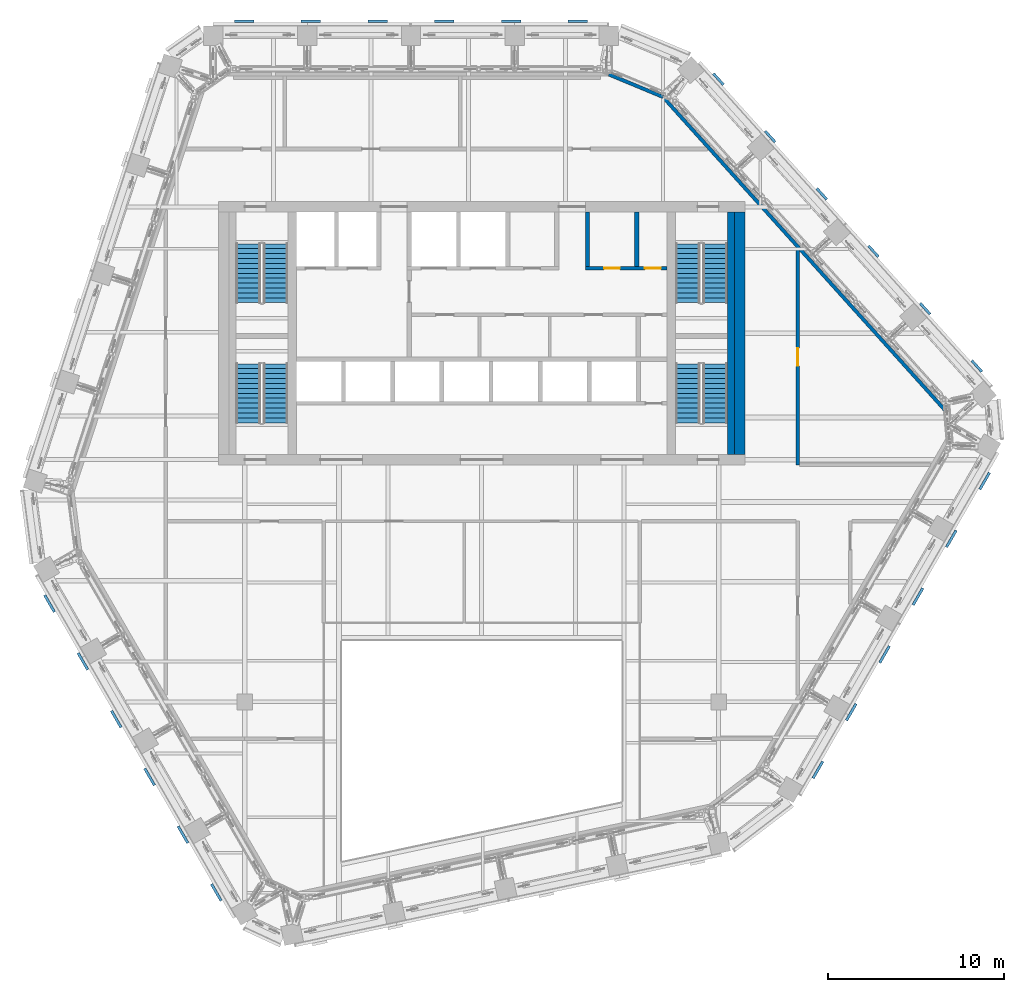
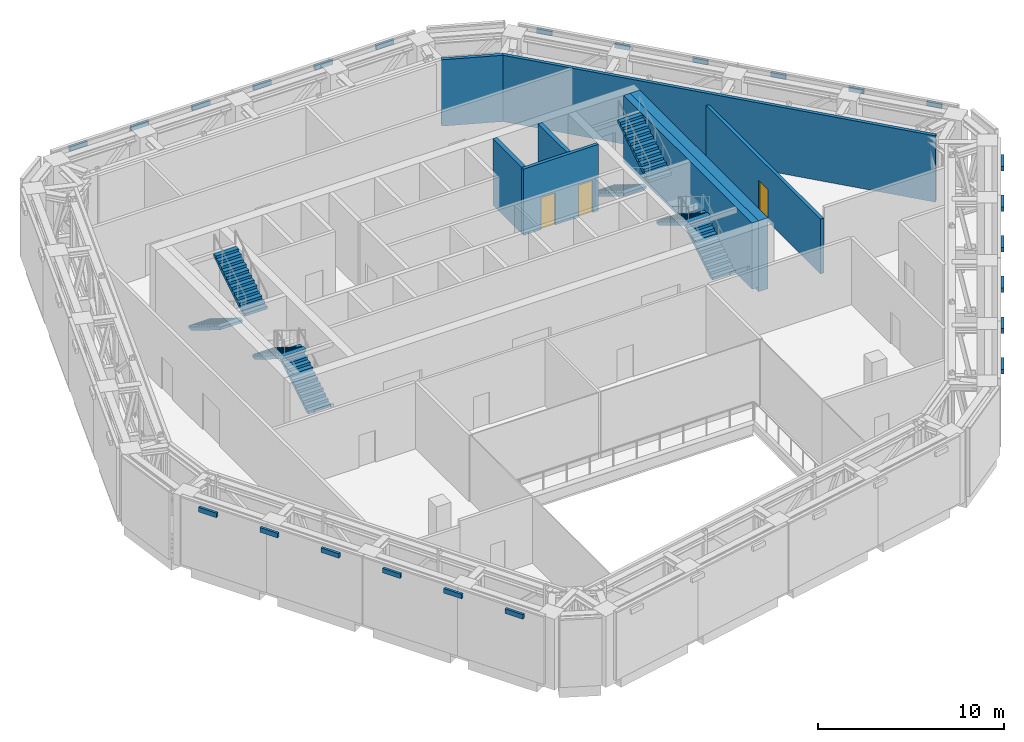
# One storey, part 19 of 25: 24 discrete accessories, 8 stair flights, 8 walls, 3 doors, 3 openings, 4 elements without a shape of their own.
"""IFC4 building model written with IfcOpenShell, lengths in metres."""

from ifc_helpers import new_model, si_unit, direction, frame, frame_2d, origin, origin_2d, place, context, subcontext, project, spatial, polyline, rectangle, outline, extrude, material, layer, layer_set, type_object, element, fill, aggregate, save


model = new_model("IFC4")

# Units and contexts
model_context = context("Model", 3, precision=1e-05, world=origin(), true_north=direction((0.0, 1.0)))
body_context = subcontext(model_context, "Body", "Model", "MODEL_VIEW")
ifc_project = project(units=[si_unit("LENGTHUNIT", "METRE"), si_unit("AREAUNIT", "SQUARE_METRE"), si_unit("VOLUMEUNIT", "CUBIC_METRE"), si_unit("PLANEANGLEUNIT", "RADIAN"), si_unit("MASSUNIT", "GRAM", prefix="KILO")], contexts=[model_context])

# Site, building, storey
site_placement = place(None, origin())
site = spatial("IfcSite", under=ifc_project, at=site_placement, CompositionType="ELEMENT")
building_placement = place(site_placement, origin())
building = spatial("IfcBuilding", under=site, at=building_placement, Name="Isthmus Gate Tower", CompositionType="ELEMENT")
storey_placement = place(building_placement, frame((0.0, 0.0, 256.449951171875)))
storey = spatial("IfcBuildingStorey", under=building, at=storey_placement, Name="L65", CompositionType="ELEMENT", Elevation=256.449951171875)

# Wall, opening, door
ifc_material_1 = material(Name="Concrete f'c 30 MPa", Category="concrete")
ifc_layer_1 = layer(ifc_material_1, 0.199951171875)
ifc_layer_set_1 = layer_set([ifc_layer_1], Name="Fire-rated block wall 200")
wall_type_1 = type_object("IfcWallType", Name="Fire-rated block wall 200", PredefinedType="PARTITIONING", material=ifc_layer_set_1)
wall_1_placement = place(storey_placement, frame((18.0, 0.0, 0.0), z_axis=(0.0, 0.0, 1.0), x_axis=(0.0, 1.0, 0.0)))
wall_1 = element("IfcWall", 1, at=wall_1_placement, inside=storey, type_object=wall_type_1, Name="Fire-rated wall", PredefinedType="PARTITIONING", context=body_context, shape_type="SweptSolid", body=[
    extrude(rectangle(XDim=12.295166015625, YDim=0.199951171875, at=frame_2d((6.1474609375, 0.0))), origin(), (0.0, 0.0, 1.0), 3.600830078125),
])
opening_1_placement = place(wall_1_placement, frame((5.64990234375, 0.0, 0.0)))
opening_1 = element("IfcOpeningElement", 2, at=opening_1_placement, cuts=wall_1, Name="Opening DP65-06", PredefinedType="OPENING", context=body_context, shape_type="SweptSolid", body=[
    extrude(rectangle(XDim=1.0, YDim=2.10009765625, at=frame_2d((0.5, 1.050048828125))), frame((0.0, 0.10986328125, 0.0), z_axis=(0.0, -1.0, 0.0), x_axis=(1.0, 0.0, 0.0)), (0.0, 0.0, 1.0), 0.219970703125),
])
ifc_material_2 = material(Name="Steel fire door with intumescent seals", Category="steel")
door_type_1 = type_object("IfcDoorType", Name="Fire door 1000 x 2100", OperationType="SINGLE_SWING_LEFT", PredefinedType="DOOR", material=ifc_material_2)
door_1_placement = place(opening_1_placement, origin())
door_1 = element("IfcDoor", 3, at=door_1_placement, inside=storey, type_object=door_type_1, Name="Door DP65-06", OperationType="SINGLE_SWING_LEFT", OverallHeight=2.10009765625, OverallWidth=1.0, PredefinedType="DOOR", context=body_context, shape_type="SweptSolid", body=[
    extrude(rectangle(XDim=1.0, YDim=2.10009765625, at=frame_2d((0.5, 1.050048828125))), frame((0.0, 0.02490234375, 0.0), z_axis=(0.0, -1.0, 0.0), x_axis=(1.0, 0.0, 0.0)), (0.0, 0.0, 1.0), 0.050048828125),
])
fill(opening_1, door_1)

# Walls
wall_2_placement = place(storey_placement, frame((7.2421875, 22.25, 0.0), z_axis=(0.0, 0.0, 1.0), x_axis=(0.923349222703, -0.383961212798, 0.0)))
element("IfcWall", 4, at=wall_2_placement, inside=storey, type_object=wall_type_1, Name="Fire-rated wall", PredefinedType="PARTITIONING", context=body_context, shape_type="SweptSolid", body=[
    extrude(rectangle(XDim=3.33935546875, YDim=0.199951171875, at=frame_2d((1.669677734375, 0.0))), origin(), (0.0, 0.0, 1.0), 4.35009765625),
])
wall_3_placement = place(storey_placement, frame((10.32568359375, 20.9677734375, 0.0), z_axis=(0.0, 0.0, 1.0), x_axis=(0.669133107761, -0.743142573197, 0.0)))
element("IfcWall", 5, at=wall_3_placement, inside=storey, type_object=wall_type_1, Name="Fire-rated wall", PredefinedType="PARTITIONING", context=body_context, shape_type="SweptSolid", body=[
    extrude(rectangle(XDim=24.4306640625, YDim=0.199951171875, at=frame_2d((12.21533203125, 0.0))), origin(), (0.0, 0.0, 1.0), 4.35009765625),
])
ifc_material_3 = material(Name="Concrete f'c 50 MPa", Category="concrete")
ifc_layer_2 = layer(ifc_material_3, 0.60009765625)
ifc_layer_set_2 = layer_set([ifc_layer_2], Name="RC CORE WALL 600 F'C 50")
wall_type_2 = type_object("IfcWallType", Name="RC CORE WALL 600 F'C 50", PredefinedType="SOLIDWALL", material=ifc_layer_set_2)
wall_4_placement = place(storey_placement, frame((14.699951171875, 0.60009765625, -0.300048828125), z_axis=(0.0, 0.0, 1.0), x_axis=(0.0, 1.0, 0.0)))
element("IfcWall", 6, at=wall_4_placement, inside=storey, type_object=wall_type_2, Name="str-corewall-L65-E", PredefinedType="SOLIDWALL", context=body_context, shape_type="SweptSolid", body=[
    extrude(rectangle(XDim=13.7998046875, YDim=0.60009765625, at=frame_2d((6.89990234375, 0.0))), origin(), (0.0, 0.0, 1.0), 4.650146484375),
])

# Wall, openings, doors
ifc_material_4 = material(Name="Fire-rated blockwork masonry, 15 MPa", Category="masonry")
ifc_layer_3 = layer(ifc_material_4, 0.199951171875)
ifc_layer_set_3 = layer_set([ifc_layer_3], Name="SHAFT FRONT WALL 200 120 MIN")
wall_type_3 = type_object("IfcWallType", Name="SHAFT FRONT WALL 200 120 MIN", PredefinedType="PARTITIONING", material=ifc_layer_set_3)
wall_5_placement = place(storey_placement, frame((5.89990234375, 11.199951171875, 0.0), z_axis=(0.0, 0.0, 1.0), x_axis=(1.0, 0.0, 0.0)))
wall_5 = element("IfcWall", 7, at=wall_5_placement, inside=storey, type_object=wall_type_3, Name="L65 SHAFT FRONT WALL 200 120 MIN", PredefinedType="PARTITIONING", context=body_context, shape_type="SweptSolid", body=[
    extrude(rectangle(XDim=4.650146484375, YDim=0.199951171875, at=frame_2d((2.3251953125, 0.0))), origin(), (0.0, 0.0, 1.0), 4.35009765625),
])
opening_2_placement = place(wall_5_placement, frame((1.074951171875, 0.0, 0.0)))
opening_2 = element("IfcOpeningElement", 8, at=opening_2_placement, cuts=wall_5, Name="Opening DC-A21-08", PredefinedType="OPENING", context=body_context, shape_type="SweptSolid", body=[
    extrude(rectangle(XDim=0.89990234375, YDim=2.10009765625, at=frame_2d((0.449951171875, 1.050048828125))), frame((0.0, 0.10986328125, 0.0), z_axis=(0.0, -1.0, 0.0), x_axis=(1.0, 0.0, 0.0)), (0.0, 0.0, 1.0), 0.219970703125),
])
opening_3_placement = place(wall_5_placement, frame((3.39990234375, 0.0, 0.0)))
opening_3 = element("IfcOpeningElement", 9, at=opening_3_placement, cuts=wall_5, Name="Opening DC-A21-09", PredefinedType="OPENING", context=body_context, shape_type="SweptSolid", body=[
    extrude(rectangle(XDim=0.89990234375, YDim=2.10009765625, at=frame_2d((0.449951171875, 1.050048828125))), frame((0.0, 0.10986328125, 0.0), z_axis=(0.0, -1.0, 0.0), x_axis=(1.0, 0.0, 0.0)), (0.0, 0.0, 1.0), 0.219970703125),
])
ifc_material_5 = material(Name="Steel door leaf, fire-rated", Category="steel")
door_type_2 = type_object("IfcDoorType", Name="FIRE DOOR 900 X 2100 60 MIN", OperationType="SINGLE_SWING_LEFT", PredefinedType="DOOR", material=ifc_material_5)
door_2_placement = place(opening_2_placement, origin())
door_2 = element("IfcDoor", 10, at=door_2_placement, inside=storey, type_object=door_type_2, Name="Electrical Room Door", OperationType="SINGLE_SWING_RIGHT", OverallHeight=2.10009765625, OverallWidth=0.89990234375, PredefinedType="DOOR", context=body_context, shape_type="SweptSolid", body=[
    extrude(rectangle(XDim=0.89990234375, YDim=2.10009765625, at=frame_2d((0.449951171875, 1.050048828125))), frame((0.0, 0.02490234375, 0.0), z_axis=(0.0, -1.0, 0.0), x_axis=(1.0, 0.0, 0.0)), (0.0, 0.0, 1.0), 0.050048828125),
])
fill(opening_2, door_2)
ifc_material_6 = material(Name="Steel door leaf, fire-rated", Category="steel")
door_type_3 = type_object("IfcDoorType", Name="RISER FIRE DOOR 900 X 2100 90 MIN", OperationType="SINGLE_SWING_LEFT", PredefinedType="DOOR", material=ifc_material_6)
door_3_placement = place(opening_3_placement, origin())
door_3 = element("IfcDoor", 11, at=door_3_placement, inside=storey, type_object=door_type_3, Name="Riser Door", OperationType="SINGLE_SWING_LEFT", OverallHeight=2.10009765625, OverallWidth=0.89990234375, PredefinedType="DOOR", context=body_context, shape_type="SweptSolid", body=[
    extrude(rectangle(XDim=0.89990234375, YDim=2.10009765625, at=frame_2d((0.449951171875, 1.050048828125))), frame((0.0, 0.02490234375, 0.0), z_axis=(0.0, -1.0, 0.0), x_axis=(1.0, 0.0, 0.0)), (0.0, 0.0, 1.0), 0.050048828125),
])
fill(opening_3, door_3)

# Walls
ifc_material_7 = material(Name="Fire-rated blockwork masonry, 15 MPa", Category="masonry")
ifc_layer_4 = layer(ifc_material_7, 0.25)
ifc_layer_set_4 = layer_set([ifc_layer_4], Name="SHAFT WALL 250 120 MIN")
wall_type_4 = type_object("IfcWallType", Name="SHAFT WALL 250 120 MIN", PredefinedType="PARTITIONING", material=ifc_layer_set_4)
for number, where, z_axis, x_axis, name in (
    (12, (6.02490234375, 11.300048828125, 0.0), (0.0, 0.0, 1.0), (0.0, 1.0, 0.0), "L65 SHAFT WALL 250 120 MIN"),
    (13, (8.824951171875, 11.300048828125, 0.0), (0.0, 0.0, 1.0), (0.0, 1.0, 0.0), "L65 SHAFT WALL 250 120 MIN"),
):
    element("IfcWall", number, at=place(storey_placement, frame(where, z_axis=z_axis, x_axis=x_axis)), inside=storey, type_object=wall_type_4, Name=name, PredefinedType="PARTITIONING", context=body_context, shape_type="SweptSolid", body=[
        extrude(rectangle(XDim=3.099853515625, YDim=0.25, at=frame_2d((1.5498046875, 0.0))), origin(), (0.0, 0.0, 1.0), 4.35009765625),
    ])
ifc_material_8 = material(Name="Concrete f'c 40 MPa", Category="concrete")
ifc_layer_5 = layer(ifc_material_8, 0.39990234375)
ifc_layer_set_5 = layer_set([ifc_layer_5], Name="STAIR ENCLOSURE WALL 400 180 MIN")
wall_type_5 = type_object("IfcWallType", Name="STAIR ENCLOSURE WALL 400 180 MIN", PredefinedType="SOLIDWALL", material=ifc_layer_set_5)
wall_6_placement = place(storey_placement, frame((14.199951171875, 0.60009765625, 0.0), z_axis=(0.0, 0.0, 1.0), x_axis=(0.0, 1.0, 0.0)))
element("IfcWall", 14, at=wall_6_placement, inside=storey, type_object=wall_type_5, Name="L65 STAIR ENCLOSURE WALL 400 180 MIN", PredefinedType="SOLIDWALL", context=body_context, shape_type="SweptSolid", body=[
    extrude(rectangle(XDim=13.7998046875, YDim=0.39990234375, at=frame_2d((6.89990234375, 0.0))), origin(), (0.0, 0.0, 1.0), 4.35009765625),
])

# Stair, stair flights
ifc_material_9 = material(Name="Concrete f'c 40 MPa", Category="concrete")
stair_type = type_object("IfcStairType", Name="CORE STAIR 26 RISERS", PredefinedType="HALF_TURN_STAIR", material=ifc_material_9)
stair_1_placement = place(storey_placement, origin())
stair_1 = element("IfcStair", 15, at=stair_1_placement, inside=storey, type_object=stair_type, Name="L65 Exit Stair 1", PredefinedType="HALF_TURN_STAIR")
ifc_material_10 = material(Name="Concrete f'c 40 MPa", Category="concrete")
stair_flight_type = type_object("IfcStairFlightType", Name="STAIR FLIGHT RC 1400", PredefinedType="STRAIGHT", material=ifc_material_10)
stair_flight_1_placement = place(storey_placement, frame((-13.300048828125, 12.60009765625, 0.0), z_axis=(0.0, 0.0, 1.0), x_axis=(0.0, -1.0, 0.0)))
stair_flight_1 = element("IfcStairFlight", 16, at=stair_flight_1_placement, type_object=stair_flight_type, Name="ST1 flight 1", NumberOfRisers=13, NumberOfTreads=12, PredefinedType="STRAIGHT", RiserHeight=0.173076923, TreadLength=0.28, context=body_context, shape_type="SweptSolid", body=[
    extrude(outline(polyline([(0.0, 0.0), (0.0, 0.173095703125), (0.280029296875, 0.173095703125), (0.280029296875, 0.34619140625), (0.56005859375, 0.34619140625), (0.56005859375, 0.519287109375), (0.840087890625, 0.519287109375), (0.840087890625, 0.6923828125), (1.1201171875, 0.6923828125), (1.1201171875, 0.865478515625), (1.39990234375, 0.865478515625), (1.39990234375, 1.03857421875), (1.679931640625, 1.03857421875), (1.679931640625, 1.21142578125), (1.9599609375, 1.21142578125), (1.9599609375, 1.384521484375), (2.239990234375, 1.384521484375), (2.239990234375, 1.5576171875), (2.52001953125, 1.5576171875), (2.52001953125, 1.730712890625), (2.800048828125, 1.730712890625), (2.800048828125, 1.90380859375), (3.080078125, 1.90380859375), (3.080078125, 2.076904296875), (3.360107421875, 2.076904296875), (3.360107421875, 2.25), (3.360107421875, 1.900634765625), (0.28515625, 0.0), (0.0, 0.0)])), frame((0.0, 0.699951171875, 0.0), z_axis=(0.0, -1.0, 0.0), x_axis=(1.0, 0.0, 0.0)), (0.0, 0.0, 1.0), 1.39990234375),
])
stair_flight_2_placement = place(storey_placement, frame((-11.75, 9.239990234375, 2.25), z_axis=(0.0, 0.0, 1.0), x_axis=(0.0, 1.0, 0.0)))
stair_flight_2 = element("IfcStairFlight", 17, at=stair_flight_2_placement, type_object=stair_flight_type, Name="ST1 flight 2", NumberOfRisers=13, NumberOfTreads=12, PredefinedType="STRAIGHT", RiserHeight=0.173076923, TreadLength=0.28, context=body_context, shape_type="SweptSolid", body=[
    extrude(outline(polyline([(0.0, 0.0), (0.0, 0.173095703125), (0.280029296875, 0.173095703125), (0.280029296875, 0.34619140625), (0.56005859375, 0.34619140625), (0.56005859375, 0.519287109375), (0.840087890625, 0.519287109375), (0.840087890625, 0.6923828125), (1.1201171875, 0.6923828125), (1.1201171875, 0.865478515625), (1.39990234375, 0.865478515625), (1.39990234375, 1.03857421875), (1.679931640625, 1.03857421875), (1.679931640625, 1.21142578125), (1.9599609375, 1.21142578125), (1.9599609375, 1.384521484375), (2.239990234375, 1.384521484375), (2.239990234375, 1.5576171875), (2.52001953125, 1.5576171875), (2.52001953125, 1.730712890625), (2.800048828125, 1.730712890625), (2.800048828125, 1.90380859375), (3.080078125, 1.90380859375), (3.080078125, 2.076904296875), (3.360107421875, 2.076904296875), (3.360107421875, 2.25), (3.360107421875, 1.900634765625), (0.28515625, 0.0), (0.0, 0.0)])), frame((0.0, 0.699951171875, 0.0), z_axis=(0.0, -1.0, 0.0), x_axis=(1.0, 0.0, 0.0)), (0.0, 0.0, 1.0), 1.39990234375),
])
aggregate(stair_1, [stair_flight_1, stair_flight_2])

stair_2_placement = place(storey_placement, origin())
stair_2 = element("IfcStair", 18, at=stair_2_placement, inside=storey, type_object=stair_type, Name="L65 Exit Stair 2", PredefinedType="HALF_TURN_STAIR")
stair_flight_3_placement = place(storey_placement, frame((11.75, 12.60009765625, 0.0), z_axis=(0.0, 0.0, 1.0), x_axis=(0.0, -1.0, 0.0)))
stair_flight_3 = element("IfcStairFlight", 19, at=stair_flight_3_placement, type_object=stair_flight_type, Name="ST2 flight 1", NumberOfRisers=13, NumberOfTreads=12, PredefinedType="STRAIGHT", RiserHeight=0.173076923, TreadLength=0.28, context=body_context, shape_type="SweptSolid", body=[
    extrude(outline(polyline([(0.0, 0.0), (0.0, 0.173095703125), (0.280029296875, 0.173095703125), (0.280029296875, 0.34619140625), (0.56005859375, 0.34619140625), (0.56005859375, 0.519287109375), (0.840087890625, 0.519287109375), (0.840087890625, 0.6923828125), (1.1201171875, 0.6923828125), (1.1201171875, 0.865478515625), (1.39990234375, 0.865478515625), (1.39990234375, 1.03857421875), (1.679931640625, 1.03857421875), (1.679931640625, 1.21142578125), (1.9599609375, 1.21142578125), (1.9599609375, 1.384521484375), (2.239990234375, 1.384521484375), (2.239990234375, 1.5576171875), (2.52001953125, 1.5576171875), (2.52001953125, 1.730712890625), (2.800048828125, 1.730712890625), (2.800048828125, 1.90380859375), (3.080078125, 1.90380859375), (3.080078125, 2.076904296875), (3.360107421875, 2.076904296875), (3.360107421875, 2.25), (3.360107421875, 1.900634765625), (0.28515625, 0.0), (0.0, 0.0)])), frame((0.0, 0.699951171875, 0.0), z_axis=(0.0, -1.0, 0.0), x_axis=(1.0, 0.0, 0.0)), (0.0, 0.0, 1.0), 1.39990234375),
])
stair_flight_4_placement = place(storey_placement, frame((13.300048828125, 9.239990234375, 2.25), z_axis=(0.0, 0.0, 1.0), x_axis=(0.0, 1.0, 0.0)))
stair_flight_4 = element("IfcStairFlight", 20, at=stair_flight_4_placement, type_object=stair_flight_type, Name="ST2 flight 2", NumberOfRisers=13, NumberOfTreads=12, PredefinedType="STRAIGHT", RiserHeight=0.173076923, TreadLength=0.28, context=body_context, shape_type="SweptSolid", body=[
    extrude(outline(polyline([(0.0, 0.0), (0.0, 0.173095703125), (0.280029296875, 0.173095703125), (0.280029296875, 0.34619140625), (0.56005859375, 0.34619140625), (0.56005859375, 0.519287109375), (0.840087890625, 0.519287109375), (0.840087890625, 0.6923828125), (1.1201171875, 0.6923828125), (1.1201171875, 0.865478515625), (1.39990234375, 0.865478515625), (1.39990234375, 1.03857421875), (1.679931640625, 1.03857421875), (1.679931640625, 1.21142578125), (1.9599609375, 1.21142578125), (1.9599609375, 1.384521484375), (2.239990234375, 1.384521484375), (2.239990234375, 1.5576171875), (2.52001953125, 1.5576171875), (2.52001953125, 1.730712890625), (2.800048828125, 1.730712890625), (2.800048828125, 1.90380859375), (3.080078125, 1.90380859375), (3.080078125, 2.076904296875), (3.360107421875, 2.076904296875), (3.360107421875, 2.25), (3.360107421875, 1.900634765625), (0.28515625, 0.0), (0.0, 0.0)])), frame((0.0, 0.699951171875, 0.0), z_axis=(0.0, -1.0, 0.0), x_axis=(1.0, 0.0, 0.0)), (0.0, 0.0, 1.0), 1.39990234375),
])
aggregate(stair_2, [stair_flight_3, stair_flight_4])

stair_3_placement = place(storey_placement, origin())
stair_3 = element("IfcStair", 21, at=stair_3_placement, inside=storey, type_object=stair_type, Name="L65 Exit Stair 7", PredefinedType="HALF_TURN_STAIR")
stair_flight_5_placement = place(storey_placement, frame((-11.75, 2.39990234375, 0.0), z_axis=(0.0, 0.0, 1.0), x_axis=(0.0, 1.0, 0.0)))
stair_flight_5 = element("IfcStairFlight", 22, at=stair_flight_5_placement, type_object=stair_flight_type, Name="ST7 flight 1", NumberOfRisers=13, NumberOfTreads=12, PredefinedType="STRAIGHT", RiserHeight=0.173076923, TreadLength=0.28, context=body_context, shape_type="SweptSolid", body=[
    extrude(outline(polyline([(0.0, 0.0), (0.0, 0.173095703125), (0.280029296875, 0.173095703125), (0.280029296875, 0.34619140625), (0.56005859375, 0.34619140625), (0.56005859375, 0.519287109375), (0.840087890625, 0.519287109375), (0.840087890625, 0.6923828125), (1.1201171875, 0.6923828125), (1.1201171875, 0.865478515625), (1.39990234375, 0.865478515625), (1.39990234375, 1.03857421875), (1.679931640625, 1.03857421875), (1.679931640625, 1.21142578125), (1.9599609375, 1.21142578125), (1.9599609375, 1.384521484375), (2.239990234375, 1.384521484375), (2.239990234375, 1.5576171875), (2.52001953125, 1.5576171875), (2.52001953125, 1.730712890625), (2.800048828125, 1.730712890625), (2.800048828125, 1.90380859375), (3.080078125, 1.90380859375), (3.080078125, 2.076904296875), (3.360107421875, 2.076904296875), (3.360107421875, 2.25), (3.360107421875, 1.900634765625), (0.28515625, 0.0), (0.0, 0.0)])), frame((0.0, 0.699951171875, 0.0), z_axis=(0.0, -1.0, 0.0), x_axis=(1.0, 0.0, 0.0)), (0.0, 0.0, 1.0), 1.39990234375),
])
stair_flight_6_placement = place(storey_placement, frame((-13.300048828125, 5.760009765625, 2.25), z_axis=(0.0, 0.0, 1.0), x_axis=(0.0, -1.0, 0.0)))
stair_flight_6 = element("IfcStairFlight", 23, at=stair_flight_6_placement, type_object=stair_flight_type, Name="ST7 flight 2", NumberOfRisers=13, NumberOfTreads=12, PredefinedType="STRAIGHT", RiserHeight=0.173076923, TreadLength=0.28, context=body_context, shape_type="SweptSolid", body=[
    extrude(outline(polyline([(0.0, 0.0), (0.0, 0.173095703125), (0.280029296875, 0.173095703125), (0.280029296875, 0.34619140625), (0.56005859375, 0.34619140625), (0.56005859375, 0.519287109375), (0.840087890625, 0.519287109375), (0.840087890625, 0.6923828125), (1.1201171875, 0.6923828125), (1.1201171875, 0.865478515625), (1.39990234375, 0.865478515625), (1.39990234375, 1.03857421875), (1.679931640625, 1.03857421875), (1.679931640625, 1.21142578125), (1.9599609375, 1.21142578125), (1.9599609375, 1.384521484375), (2.239990234375, 1.384521484375), (2.239990234375, 1.5576171875), (2.52001953125, 1.5576171875), (2.52001953125, 1.730712890625), (2.800048828125, 1.730712890625), (2.800048828125, 1.90380859375), (3.080078125, 1.90380859375), (3.080078125, 2.076904296875), (3.360107421875, 2.076904296875), (3.360107421875, 2.25), (3.360107421875, 1.900634765625), (0.28515625, 0.0), (0.0, 0.0)])), frame((0.0, 0.699951171875, 0.0), z_axis=(0.0, -1.0, 0.0), x_axis=(1.0, 0.0, 0.0)), (0.0, 0.0, 1.0), 1.39990234375),
])
aggregate(stair_3, [stair_flight_5, stair_flight_6])

stair_4_placement = place(storey_placement, origin())
stair_4 = element("IfcStair", 24, at=stair_4_placement, inside=storey, type_object=stair_type, Name="L65 Exit Stair 8", PredefinedType="HALF_TURN_STAIR")
stair_flight_7_placement = place(storey_placement, frame((13.300048828125, 2.39990234375, 0.0), z_axis=(0.0, 0.0, 1.0), x_axis=(0.0, 1.0, 0.0)))
stair_flight_7 = element("IfcStairFlight", 25, at=stair_flight_7_placement, type_object=stair_flight_type, Name="ST8 flight 1", NumberOfRisers=13, NumberOfTreads=12, PredefinedType="STRAIGHT", RiserHeight=0.173076923, TreadLength=0.28, context=body_context, shape_type="SweptSolid", body=[
    extrude(outline(polyline([(0.0, 0.0), (0.0, 0.173095703125), (0.280029296875, 0.173095703125), (0.280029296875, 0.34619140625), (0.56005859375, 0.34619140625), (0.56005859375, 0.519287109375), (0.840087890625, 0.519287109375), (0.840087890625, 0.6923828125), (1.1201171875, 0.6923828125), (1.1201171875, 0.865478515625), (1.39990234375, 0.865478515625), (1.39990234375, 1.03857421875), (1.679931640625, 1.03857421875), (1.679931640625, 1.21142578125), (1.9599609375, 1.21142578125), (1.9599609375, 1.384521484375), (2.239990234375, 1.384521484375), (2.239990234375, 1.5576171875), (2.52001953125, 1.5576171875), (2.52001953125, 1.730712890625), (2.800048828125, 1.730712890625), (2.800048828125, 1.90380859375), (3.080078125, 1.90380859375), (3.080078125, 2.076904296875), (3.360107421875, 2.076904296875), (3.360107421875, 2.25), (3.360107421875, 1.900634765625), (0.28515625, 0.0), (0.0, 0.0)])), frame((0.0, 0.699951171875, 0.0), z_axis=(0.0, -1.0, 0.0), x_axis=(1.0, 0.0, 0.0)), (0.0, 0.0, 1.0), 1.39990234375),
])
stair_flight_8_placement = place(storey_placement, frame((11.75, 5.760009765625, 2.25), z_axis=(0.0, 0.0, 1.0), x_axis=(0.0, -1.0, 0.0)))
stair_flight_8 = element("IfcStairFlight", 26, at=stair_flight_8_placement, type_object=stair_flight_type, Name="ST8 flight 2", NumberOfRisers=13, NumberOfTreads=12, PredefinedType="STRAIGHT", RiserHeight=0.173076923, TreadLength=0.28, context=body_context, shape_type="SweptSolid", body=[
    extrude(outline(polyline([(0.0, 0.0), (0.0, 0.173095703125), (0.280029296875, 0.173095703125), (0.280029296875, 0.34619140625), (0.56005859375, 0.34619140625), (0.56005859375, 0.519287109375), (0.840087890625, 0.519287109375), (0.840087890625, 0.6923828125), (1.1201171875, 0.6923828125), (1.1201171875, 0.865478515625), (1.39990234375, 0.865478515625), (1.39990234375, 1.03857421875), (1.679931640625, 1.03857421875), (1.679931640625, 1.21142578125), (1.9599609375, 1.21142578125), (1.9599609375, 1.384521484375), (2.239990234375, 1.384521484375), (2.239990234375, 1.5576171875), (2.52001953125, 1.5576171875), (2.52001953125, 1.730712890625), (2.800048828125, 1.730712890625), (2.800048828125, 1.90380859375), (3.080078125, 1.90380859375), (3.080078125, 2.076904296875), (3.360107421875, 2.076904296875), (3.360107421875, 2.25), (3.360107421875, 1.900634765625), (0.28515625, 0.0), (0.0, 0.0)])), frame((0.0, 0.699951171875, 0.0), z_axis=(0.0, -1.0, 0.0), x_axis=(1.0, 0.0, 0.0)), (0.0, 0.0, 1.0), 1.39990234375),
])
aggregate(stair_4, [stair_flight_7, stair_flight_8])

# Discrete accessories
ifc_material_11 = material(Name="Structural steel ASTM A572 Gr 50, white paint system", Category="steel")
discrete_accessory_type_1 = type_object("IfcDiscreteAccessoryType", Name="FIN BRACKET 1109 X 150 X 300", PredefinedType="BRACKET", material=ifc_material_11)
for number, where, z_axis, x_axis, name in (
    (27, (5.469970703125, 25.27490234375, 3.9501953125), (0.0, 0.0, 1.0), (0.0, 1.0, 0.0), "FIN BRACKET"),
    (28, (1.669921875, 25.27490234375, 3.9501953125), (0.0, 0.0, 1.0), (0.0, 1.0, 0.0), "FIN BRACKET"),
    (29, (-2.130126953125, 25.27490234375, 3.9501953125), (0.0, 0.0, 1.0), (0.0, 1.0, 0.0), "FIN BRACKET"),
    (30, (-5.93017578125, 25.27490234375, 3.9501953125), (0.0, 0.0, 1.0), (0.0, 1.0, 0.0), "FIN BRACKET"),
    (31, (-9.72998046875, 25.27490234375, 3.9501953125), (0.0, 0.0, 1.0), (0.0, 1.0, 0.0), "FIN BRACKET"),
    (32, (-13.530029296875, 25.27490234375, 3.9501953125), (0.0, 0.0, 1.0), (0.0, 1.0, 0.0), "FIN BRACKET"),
    (33, (-24.623779296875, -7.900390625, 3.9501953125), (0.0, 0.0, 1.0), (-0.866025403784, -0.5, 0.0), "FIN BRACKET"),
    (34, (-22.7236328125, -11.19140625, 3.9501953125), (0.0, 0.0, 1.0), (-0.866025403784, -0.5, 0.0), "FIN BRACKET"),
    (35, (-20.82373046875, -14.482177734375, 3.9501953125), (0.0, 0.0, 1.0), (-0.866025403784, -0.5, 0.0), "FIN BRACKET"),
    (36, (-18.923828125, -17.773193359375, 3.9501953125), (0.0, 0.0, 1.0), (-0.866025403784, -0.5, 0.0), "FIN BRACKET"),
    (37, (-17.023681640625, -21.06396484375, 3.9501953125), (0.0, 0.0, 1.0), (-0.866025403784, -0.5, 0.0), "FIN BRACKET"),
    (38, (-15.123779296875, -24.35498046875, 3.9501953125), (0.0, 0.0, 1.0), (-0.866025403784, -0.5, 0.0), "FIN BRACKET"),
    (39, (19.15380859375, -17.37451171875, 3.9501953125), (0.0, 0.0, 1.0), (0.866025403784, -0.5, 0.0), "FIN BRACKET"),
    (40, (21.053955078125, -14.083740234375, 3.9501953125), (0.0, 0.0, 1.0), (0.866025403784, -0.5, 0.0), "FIN BRACKET"),
    (41, (22.953857421875, -10.792724609375, 3.9501953125), (0.0, 0.0, 1.0), (0.866025403784, -0.5, 0.0), "FIN BRACKET"),
    (42, (24.853759765625, -7.501953125, 3.9501953125), (0.0, 0.0, 1.0), (0.866025403784, -0.5, 0.0), "FIN BRACKET"),
    (43, (26.75390625, -4.2109375, 3.9501953125), (0.0, 0.0, 1.0), (0.866025403784, -0.5, 0.0), "FIN BRACKET"),
    (44, (28.65380859375, -0.920166015625, 3.9501953125), (0.0, 0.0, 1.0), (0.866025403784, -0.5, 0.0), "FIN BRACKET"),
):
    element("IfcDiscreteAccessory", number, at=place(storey_placement, frame(where, z_axis=z_axis, x_axis=x_axis)), inside=storey, type_object=discrete_accessory_type_1, Name=name, PredefinedType="BRACKET", context=body_context, shape_type="SweptSolid", body=[
        extrude(rectangle(XDim=0.14990234375, YDim=1.1083984375, at=origin_2d()), origin(), (0.0, 0.0, 1.0), 0.300048828125),
    ])
ifc_material_12 = material(Name="Structural steel ASTM A572 Gr 50, white paint system", Category="steel")
discrete_accessory_type_2 = type_object("IfcDiscreteAccessoryType", Name="FIN BRACKET 855 X 150 X 300", PredefinedType="BRACKET", material=ifc_material_12)
for number, where, z_axis, x_axis, name in (
    (45, (28.20703125, 5.62939453125, 3.9501953125), (0.0, 0.0, 1.0), (0.743144825477, 0.669130606359, 0.0), "FIN BRACKET"),
    (46, (25.2626953125, 8.899169921875, 3.9501953125), (0.0, 0.0, 1.0), (0.743144825477, 0.669130606359, 0.0), "FIN BRACKET"),
    (47, (22.318603515625, 12.169189453125, 3.9501953125), (0.0, 0.0, 1.0), (0.743144825477, 0.669130606359, 0.0), "FIN BRACKET"),
    (48, (19.37451171875, 15.43896484375, 3.9501953125), (0.0, 0.0, 1.0), (0.743144825477, 0.669130606359, 0.0), "FIN BRACKET"),
    (49, (16.43017578125, 18.708740234375, 3.9501953125), (0.0, 0.0, 1.0), (0.743144825477, 0.669130606359, 0.0), "FIN BRACKET"),
    (50, (13.486083984375, 21.978515625, 3.9501953125), (0.0, 0.0, 1.0), (0.743144825477, 0.669130606359, 0.0), "FIN BRACKET"),
):
    element("IfcDiscreteAccessory", number, at=place(storey_placement, frame(where, z_axis=z_axis, x_axis=x_axis)), inside=storey, type_object=discrete_accessory_type_2, Name=name, PredefinedType="BRACKET", context=body_context, shape_type="SweptSolid", body=[
        extrude(rectangle(XDim=0.14990234375, YDim=0.854736328125, at=origin_2d()), origin(), (0.0, 0.0, 1.0), 0.300048828125),
    ])

save(model, "model.ifc")
